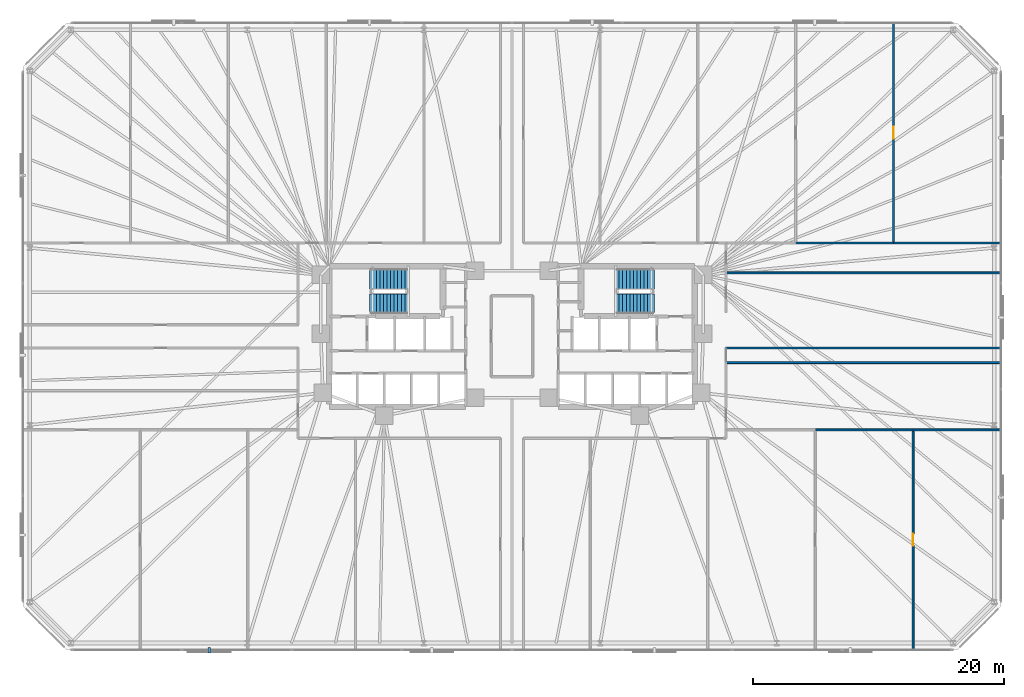
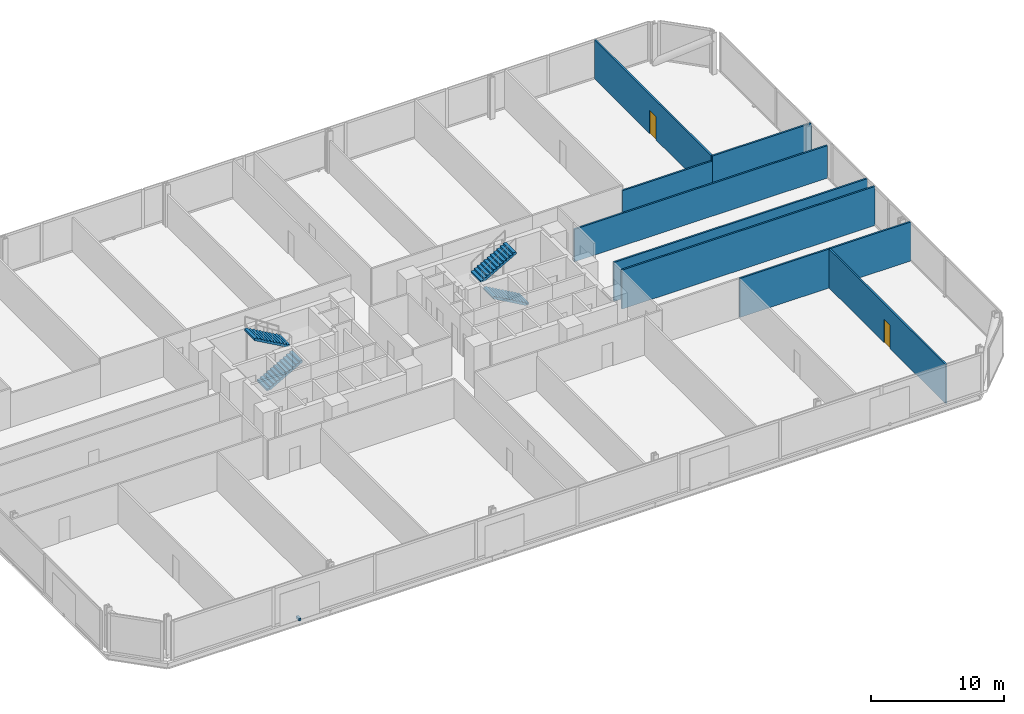
# One storey, part 15 of 17: 9 walls, 4 stair flights, 2 doors, 1 discrete accessory, 2 openings, 2 elements without a shape of their own.
"""IFC4 building model written with IfcOpenShell, lengths in metres."""

from ifc_helpers import new_model, si_unit, direction, frame, frame_2d, origin, origin_2d, place, context, subcontext, project, spatial, polyline, rectangle, outline, extrude, material, layer, layer_set, type_object, element, fill, aggregate, save


model = new_model("IFC4")

# Units and contexts
model_context = context("Model", 3, precision=1e-05, world=origin(), true_north=direction((0.0, 1.0)))
body_context = subcontext(model_context, "Body", "Model", "MODEL_VIEW")
ifc_project = project(units=[si_unit("LENGTHUNIT", "METRE"), si_unit("AREAUNIT", "SQUARE_METRE"), si_unit("VOLUMEUNIT", "CUBIC_METRE"), si_unit("PLANEANGLEUNIT", "RADIAN"), si_unit("MASSUNIT", "GRAM", prefix="KILO")], contexts=[model_context])

# Site, building, storey
site_placement = place(None, origin())
site = spatial("IfcSite", under=ifc_project, at=site_placement, CompositionType="ELEMENT")
building_placement = place(site_placement, origin())
building = spatial("IfcBuilding", under=site, at=building_placement, Name="Menara Jurai Vektor", CompositionType="ELEMENT")
storey_placement = place(building_placement, frame((0.0, 0.0, 63.60009765625)))
storey = spatial("IfcBuildingStorey", under=building, at=storey_placement, Name="L15", CompositionType="ELEMENT", Elevation=63.60009765625)

# Wall
ifc_material_1 = material(Name="Gypsum Fireboard Partition", Category="gypsum")
ifc_layer_1 = layer(ifc_material_1, 0.14990234375)
ifc_layer_set_1 = layer_set([ifc_layer_1], Name="Gypsum Fireboard Partition")
wall_type_1 = type_object("IfcWallType", Name="INT-WALL-CORR-150", PredefinedType="PARTITIONING", material=ifc_layer_set_1)
wall_1_placement = place(storey_placement, frame((17.05908203125, -0.919921875, 0.0), z_axis=(0.0, 0.0, 1.0), x_axis=(1.0, 0.0, 0.0)))
element("IfcWall", 1, at=wall_1_placement, inside=storey, type_object=wall_type_1, Name="Interior Wall IW-150 L15", PredefinedType="PARTITIONING", context=body_context, shape_type="SweptSolid", body=[
    extrude(rectangle(XDim=21.94091796875, YDim=0.14990234375, at=frame_2d((10.970458984375, 0.0))), origin(), (0.0, 0.0, 1.0), 3.574951171875),
])

# Wall, opening, door
wall_2_placement = place(storey_placement, frame((30.419921875, 7.449951171875, 0.0), z_axis=(0.0, 0.0, 1.0), x_axis=(0.0, 1.0, 0.0)))
wall_2 = element("IfcWall", 2, at=wall_2_placement, inside=storey, type_object=wall_type_1, Name="Interior Wall IW-150 L15", PredefinedType="PARTITIONING", context=body_context, shape_type="SweptSolid", body=[
    extrude(rectangle(XDim=17.550048828125, YDim=0.14990234375, at=frame_2d((8.77490234375, 0.0))), origin(), (0.0, 0.0, 1.0), 3.574951171875),
])
opening_1_placement = place(wall_2_placement, frame((8.300048828125, 0.0, 0.0)))
opening_1 = element("IfcOpeningElement", 3, at=opening_1_placement, cuts=wall_2, Name="Opening D15-28", PredefinedType="OPENING", context=body_context, shape_type="SweptSolid", body=[
    extrude(rectangle(XDim=0.949951171875, YDim=2.14990234375, at=frame_2d((0.47509765625, 1.074951171875))), frame((0.0, 0.0849609375, 0.0), z_axis=(0.0, -1.0, 0.0), x_axis=(1.0, 0.0, 0.0)), (0.0, 0.0, 1.0), 0.169921875),
])
ifc_material_2 = material(Name="Solid Core Timber Fire Door", Category="wood")
door_type = type_object("IfcDoorType", Name="DR-ENTRY-950", OperationType="NOTDEFINED", PredefinedType="DOOR", material=ifc_material_2)
door_1_placement = place(opening_1_placement, origin())
door_1 = element("IfcDoor", 4, at=door_1_placement, inside=storey, type_object=door_type, Name="Interior Door D15-28", OperationType="SINGLE_SWING_LEFT", OverallHeight=2.14990234375, OverallWidth=0.949951171875, PredefinedType="DOOR", context=body_context, shape_type="SweptSolid", body=[
    extrude(rectangle(XDim=0.949951171875, YDim=2.14990234375, at=frame_2d((0.47509765625, 1.074951171875))), frame((0.0, 0.02490234375, 0.0), z_axis=(0.0, -1.0, 0.0), x_axis=(1.0, 0.0, 0.0)), (0.0, 0.0, 1.0), 0.050048828125),
])
fill(opening_1, door_1)

# Wall
wall_3_placement = place(storey_placement, frame((30.419921875, 7.449951171875, 0.0), z_axis=(0.0, 0.0, 1.0), x_axis=(1.0, 0.0, 0.0)))
element("IfcWall", 5, at=wall_3_placement, inside=storey, type_object=wall_type_1, Name="Interior Wall IW-150 L15", PredefinedType="PARTITIONING", context=body_context, shape_type="SweptSolid", body=[
    extrude(rectangle(XDim=8.580078125, YDim=0.14990234375, at=frame_2d((4.2900390625, 0.0))), origin(), (0.0, 0.0, 1.0), 3.574951171875),
])

# Wall, opening, door
wall_4_placement = place(storey_placement, frame((31.97998046875, -25.0, 0.0), z_axis=(0.0, 0.0, 1.0), x_axis=(0.0, 1.0, 0.0)))
wall_4 = element("IfcWall", 6, at=wall_4_placement, inside=storey, type_object=wall_type_1, Name="Interior Wall IW-150 L15", PredefinedType="PARTITIONING", context=body_context, shape_type="SweptSolid", body=[
    extrude(rectangle(XDim=17.550048828125, YDim=0.14990234375, at=frame_2d((8.77490234375, 0.0))), origin(), (0.0, 0.0, 1.0), 3.574951171875),
])
opening_2_placement = place(wall_4_placement, frame((8.300048828125, 0.0, 0.0)))
opening_2 = element("IfcOpeningElement", 7, at=opening_2_placement, cuts=wall_4, Name="Opening D15-32", PredefinedType="OPENING", context=body_context, shape_type="SweptSolid", body=[
    extrude(rectangle(XDim=0.949951171875, YDim=2.14990234375, at=frame_2d((0.47509765625, 1.074951171875))), frame((0.0, 0.0849609375, 0.0), z_axis=(0.0, -1.0, 0.0), x_axis=(1.0, 0.0, 0.0)), (0.0, 0.0, 1.0), 0.169921875),
])
door_2_placement = place(opening_2_placement, origin())
door_2 = element("IfcDoor", 8, at=door_2_placement, inside=storey, type_object=door_type, Name="Interior Door D15-32", OperationType="SINGLE_SWING_LEFT", OverallHeight=2.14990234375, OverallWidth=0.949951171875, PredefinedType="DOOR", context=body_context, shape_type="SweptSolid", body=[
    extrude(rectangle(XDim=0.949951171875, YDim=2.14990234375, at=frame_2d((0.47509765625, 1.074951171875))), frame((0.0, 0.02490234375, 0.0), z_axis=(0.0, -1.0, 0.0), x_axis=(1.0, 0.0, 0.0)), (0.0, 0.0, 1.0), 0.050048828125),
])
fill(opening_2, door_2)

# Walls
wall_5_placement = place(storey_placement, frame((24.179931640625, -7.449951171875, 0.0), z_axis=(0.0, 0.0, 1.0), x_axis=(1.0, 0.0, 0.0)))
element("IfcWall", 9, at=wall_5_placement, inside=storey, type_object=wall_type_1, Name="Interior Wall IW-150 L15", PredefinedType="PARTITIONING", context=body_context, shape_type="SweptSolid", body=[
    extrude(rectangle(XDim=7.800048828125, YDim=0.14990234375, at=frame_2d((3.89990234375, 0.0))), origin(), (0.0, 0.0, 1.0), 3.574951171875),
])
wall_6_placement = place(storey_placement, frame((31.97998046875, -7.449951171875, 0.0), z_axis=(0.0, 0.0, 1.0), x_axis=(1.0, 0.0, 0.0)))
element("IfcWall", 10, at=wall_6_placement, inside=storey, type_object=wall_type_1, Name="Interior Wall IW-150 L15", PredefinedType="PARTITIONING", context=body_context, shape_type="SweptSolid", body=[
    extrude(rectangle(XDim=7.02001953125, YDim=0.14990234375, at=frame_2d((3.510009765625, 0.0))), origin(), (0.0, 0.0, 1.0), 3.574951171875),
])
wall_7_placement = place(storey_placement, frame((17.05908203125, -2.0859375, 0.0), z_axis=(0.0, 0.0, 1.0), x_axis=(1.0, 0.0, 0.0)))
element("IfcWall", 11, at=wall_7_placement, inside=storey, type_object=wall_type_1, Name="Interior Wall IW-150 L15", PredefinedType="PARTITIONING", context=body_context, shape_type="SweptSolid", body=[
    extrude(rectangle(XDim=21.94091796875, YDim=0.14990234375, at=frame_2d((10.970458984375, 0.0))), origin(), (0.0, 0.0, 1.0), 3.574951171875),
])
ifc_layer_2 = layer(ifc_material_1, 0.14990234375)
ifc_layer_set_2 = layer_set([ifc_layer_2], Name="Gypsum Fireboard Partition")
wall_type_2 = type_object("IfcWallType", Name="INT-WALL-CORR-150-H1", PredefinedType="PARTITIONING", material=ifc_layer_set_2)
wall_8_placement = place(storey_placement, frame((22.6201171875, 7.449951171875, 0.0), z_axis=(0.0, 0.0, 1.0), x_axis=(1.0, 0.0, 0.0)))
element("IfcWall", 12, at=wall_8_placement, inside=storey, type_object=wall_type_2, Name="Interior Wall IW-150 L15", PredefinedType="PARTITIONING", context=body_context, shape_type="SweptSolid", body=[
    extrude(rectangle(XDim=7.7998046875, YDim=0.14990234375, at=frame_2d((3.89990234375, 0.0))), origin(), (0.0, 0.0, 1.0), 3.125),
])
ifc_layer_3 = layer(ifc_material_1, 0.14990234375)
ifc_layer_set_3 = layer_set([ifc_layer_3], Name="Gypsum Fireboard Partition")
wall_type_3 = type_object("IfcWallType", Name="INT-WALL-CORR-150-H2", PredefinedType="PARTITIONING", material=ifc_layer_set_3)
wall_9_placement = place(storey_placement, frame((17.05908203125, 5.06591796875, 0.0), z_axis=(0.0, 0.0, 1.0), x_axis=(1.0, 0.0, 0.0)))
element("IfcWall", 13, at=wall_9_placement, inside=storey, type_object=wall_type_3, Name="Interior Wall IW-150 L15", PredefinedType="PARTITIONING", context=body_context, shape_type="SweptSolid", body=[
    extrude(rectangle(XDim=21.94091796875, YDim=0.14990234375, at=frame_2d((10.970458984375, 0.0))), origin(), (0.0, 0.0, 1.0), 2.974853515625),
])

# Stair, stair flights
ifc_material_3 = material(Name="Concrete C40/50", Category="concrete")
stair_type = type_object("IfcStairType", Name="STAIR-DOGLEG-1500", PredefinedType="HALF_TURN_STAIR", material=ifc_material_3)
stair_1_placement = place(storey_placement, origin())
stair_1 = element("IfcStair", 14, at=stair_1_placement, inside=storey, type_object=stair_type, Name="Protected Exit Stair ST1 L15", PredefinedType="HALF_TURN_STAIR")
stair_flight_type = type_object("IfcStairFlightType", Name="STAIR-FLIGHT-1500", PredefinedType="STRAIGHT", material=ifc_material_3)
stair_flight_1_placement = place(storey_placement, frame((-11.35009765625, 2.64990234375, 0.0), z_axis=(0.0, 0.0, 1.0), x_axis=(1.0, 0.0, 0.0)))
stair_flight_1 = element("IfcStairFlight", 15, at=stair_flight_1_placement, type_object=stair_flight_type, Name="ST1 flight 1", NumberOfRisers=12, NumberOfTreads=11, PredefinedType="STRAIGHT", RiserHeight=0.158333, TreadLength=0.28, context=body_context, shape_type="SweptSolid", body=[
    extrude(outline(polyline([(0.0, 0.0), (0.0, 0.158447265625), (0.280029296875, 0.158447265625), (0.280029296875, 0.316650390625), (0.56005859375, 0.316650390625), (0.56005859375, 0.47509765625), (0.840087890625, 0.47509765625), (0.840087890625, 0.63330078125), (1.1201171875, 0.63330078125), (1.1201171875, 0.791748046875), (1.39990234375, 0.791748046875), (1.39990234375, 0.949951171875), (1.679931640625, 0.949951171875), (1.679931640625, 1.1083984375), (1.9599609375, 1.1083984375), (1.9599609375, 1.2666015625), (2.239990234375, 1.2666015625), (2.239990234375, 1.425048828125), (2.52001953125, 1.425048828125), (2.52001953125, 1.583251953125), (2.800048828125, 1.583251953125), (2.800048828125, 1.74169921875), (3.080078125, 1.74169921875), (3.080078125, 1.89990234375), (3.080078125, 1.557861328125), (0.324951171875, 0.0), (0.0, 0.0)])), frame((0.0, 0.75, 0.0), z_axis=(0.0, -1.0, 0.0), x_axis=(1.0, 0.0, 0.0)), (0.0, 0.0, 1.0), 1.5),
])
stair_flight_2_placement = place(storey_placement, frame((-8.27001953125, 4.550048828125, 1.89990234375), z_axis=(0.0, 0.0, 1.0), x_axis=(-1.0, 0.0, 0.0)))
stair_flight_2 = element("IfcStairFlight", 16, at=stair_flight_2_placement, type_object=stair_flight_type, Name="ST1 flight 2", NumberOfRisers=12, NumberOfTreads=11, PredefinedType="STRAIGHT", RiserHeight=0.158333, TreadLength=0.28, context=body_context, shape_type="SweptSolid", body=[
    extrude(outline(polyline([(0.0, 0.0), (0.0, 0.158447265625), (0.280029296875, 0.158447265625), (0.280029296875, 0.316650390625), (0.56005859375, 0.316650390625), (0.56005859375, 0.47509765625), (0.840087890625, 0.47509765625), (0.840087890625, 0.63330078125), (1.1201171875, 0.63330078125), (1.1201171875, 0.791748046875), (1.39990234375, 0.791748046875), (1.39990234375, 0.949951171875), (1.679931640625, 0.949951171875), (1.679931640625, 1.1083984375), (1.9599609375, 1.1083984375), (1.9599609375, 1.2666015625), (2.239990234375, 1.2666015625), (2.239990234375, 1.425048828125), (2.52001953125, 1.425048828125), (2.52001953125, 1.583251953125), (2.800048828125, 1.583251953125), (2.800048828125, 1.74169921875), (3.080078125, 1.74169921875), (3.080078125, 1.89990234375), (3.080078125, 1.557861328125), (0.324951171875, 0.0), (0.0, 0.0)])), frame((0.0, 0.75, 0.0), z_axis=(0.0, -1.0, 0.0), x_axis=(1.0, 0.0, 0.0)), (0.0, 0.0, 1.0), 1.5),
])
aggregate(stair_1, [stair_flight_1, stair_flight_2])

stair_2_placement = place(storey_placement, origin())
stair_2 = element("IfcStair", 17, at=stair_2_placement, inside=storey, type_object=stair_type, Name="Protected Exit Stair ST2 L15", PredefinedType="HALF_TURN_STAIR")
stair_flight_3_placement = place(storey_placement, frame((11.35009765625, 2.64990234375, 0.0), z_axis=(0.0, 0.0, 1.0), x_axis=(-1.0, 0.0, 0.0)))
stair_flight_3 = element("IfcStairFlight", 18, at=stair_flight_3_placement, type_object=stair_flight_type, Name="ST2 flight 1", NumberOfRisers=12, NumberOfTreads=11, PredefinedType="STRAIGHT", RiserHeight=0.158333, TreadLength=0.28, context=body_context, shape_type="SweptSolid", body=[
    extrude(outline(polyline([(0.0, 0.0), (0.0, 0.158447265625), (0.280029296875, 0.158447265625), (0.280029296875, 0.316650390625), (0.56005859375, 0.316650390625), (0.56005859375, 0.47509765625), (0.840087890625, 0.47509765625), (0.840087890625, 0.63330078125), (1.1201171875, 0.63330078125), (1.1201171875, 0.791748046875), (1.39990234375, 0.791748046875), (1.39990234375, 0.949951171875), (1.679931640625, 0.949951171875), (1.679931640625, 1.1083984375), (1.9599609375, 1.1083984375), (1.9599609375, 1.2666015625), (2.239990234375, 1.2666015625), (2.239990234375, 1.425048828125), (2.52001953125, 1.425048828125), (2.52001953125, 1.583251953125), (2.800048828125, 1.583251953125), (2.800048828125, 1.74169921875), (3.080078125, 1.74169921875), (3.080078125, 1.89990234375), (3.080078125, 1.557861328125), (0.324951171875, 0.0), (0.0, 0.0)])), frame((0.0, 0.75, 0.0), z_axis=(0.0, -1.0, 0.0), x_axis=(1.0, 0.0, 0.0)), (0.0, 0.0, 1.0), 1.5),
])
stair_flight_4_placement = place(storey_placement, frame((8.27001953125, 4.550048828125, 1.89990234375), z_axis=(0.0, 0.0, 1.0), x_axis=(1.0, 0.0, 0.0)))
stair_flight_4 = element("IfcStairFlight", 19, at=stair_flight_4_placement, type_object=stair_flight_type, Name="ST2 flight 2", NumberOfRisers=12, NumberOfTreads=11, PredefinedType="STRAIGHT", RiserHeight=0.158333, TreadLength=0.28, context=body_context, shape_type="SweptSolid", body=[
    extrude(outline(polyline([(0.0, 0.0), (0.0, 0.158447265625), (0.280029296875, 0.158447265625), (0.280029296875, 0.316650390625), (0.56005859375, 0.316650390625), (0.56005859375, 0.47509765625), (0.840087890625, 0.47509765625), (0.840087890625, 0.63330078125), (1.1201171875, 0.63330078125), (1.1201171875, 0.791748046875), (1.39990234375, 0.791748046875), (1.39990234375, 0.949951171875), (1.679931640625, 0.949951171875), (1.679931640625, 1.1083984375), (1.9599609375, 1.1083984375), (1.9599609375, 1.2666015625), (2.239990234375, 1.2666015625), (2.239990234375, 1.425048828125), (2.52001953125, 1.425048828125), (2.52001953125, 1.583251953125), (2.800048828125, 1.583251953125), (2.800048828125, 1.74169921875), (3.080078125, 1.74169921875), (3.080078125, 1.89990234375), (3.080078125, 1.557861328125), (0.324951171875, 0.0), (0.0, 0.0)])), frame((0.0, 0.75, 0.0), z_axis=(0.0, -1.0, 0.0), x_axis=(1.0, 0.0, 0.0)), (0.0, 0.0, 1.0), 1.5),
])
aggregate(stair_2, [stair_flight_3, stair_flight_4])

# Discrete accessory
ifc_material_4 = material(Name="Steel S355", Category="steel")
discrete_accessory_type = type_object("IfcDiscreteAccessoryType", Name="ENV-ACC-BRACKET", PredefinedType="BRACKET", material=ifc_material_4)
discrete_accessory_placement = place(storey_placement, frame((-24.139892578125, -25.010009765625, -0.1298828125), z_axis=(0.0, 0.0, 1.0), x_axis=(1.0, 0.0, 0.0)))
element("IfcDiscreteAccessory", 20, at=discrete_accessory_placement, inside=storey, type_object=discrete_accessory_type, Name="Solar Screen Stand-Off Bracket L15-S01", PredefinedType="BRACKET", context=body_context, shape_type="SweptSolid", body=[
    extrude(rectangle(XDim=0.179931640625, YDim=0.43994140625, at=origin_2d()), origin(), (0.0, 0.0, 1.0), 0.219970703125),
])

save(model, "model.ifc")
